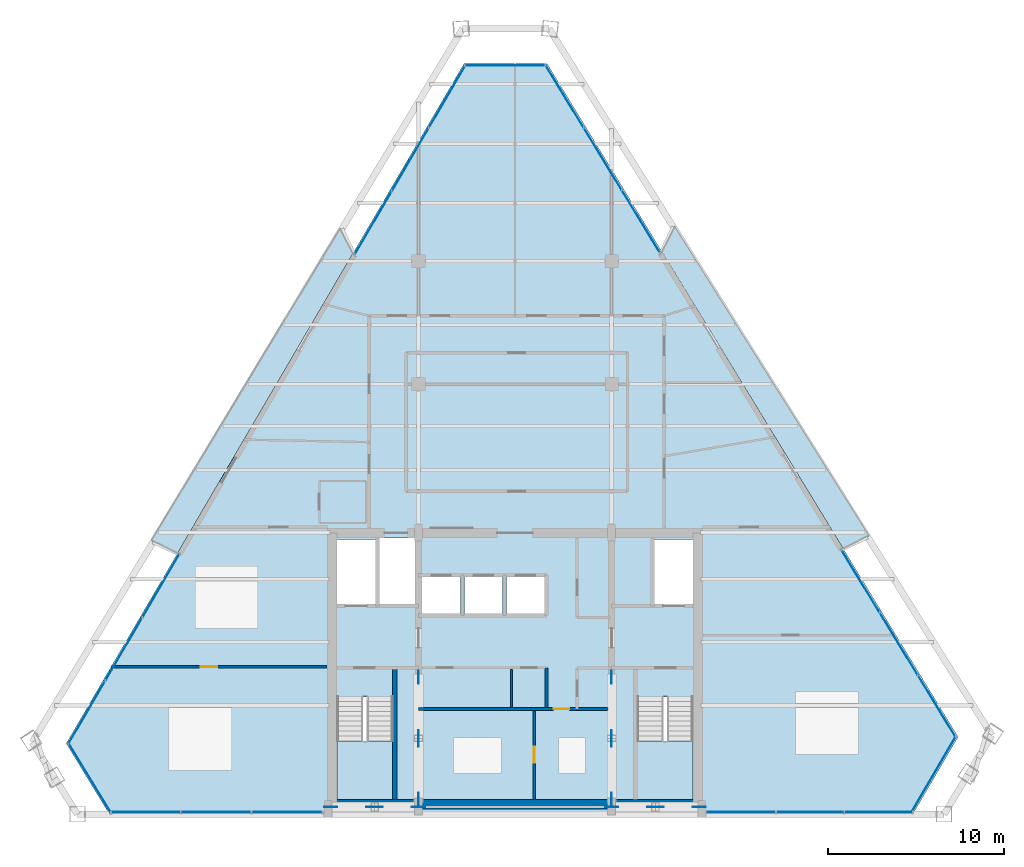
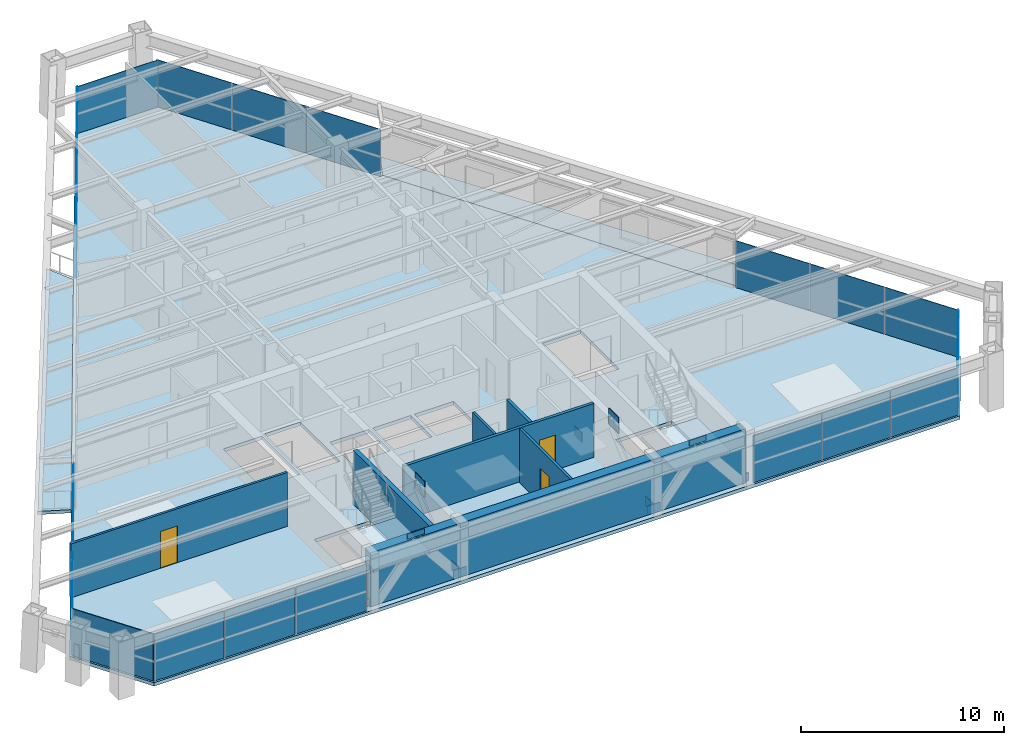
# One storey, part 8 of 13: 33 plates, 7 walls, 5 slabs, 3 doors, 3 openings, 11 elements without a shape of their own.
"""IFC4 building model written with IfcOpenShell, lengths in metres."""

from ifc_helpers import new_model, si_unit, direction, frame, frame_2d, origin, origin_2d, place, context, subcontext, project, spatial, polyline, rectangle, outline, extrude, source, transform, mapped, material, layer, layer_set, type_object, type_shapes, element, fill, aggregate, save


model = new_model("IFC4")

# Units and contexts
model_context = context("Model", 3, precision=1e-05, world=origin(), true_north=direction((0.0, 1.0)))
body_context = subcontext(model_context, "Body", "Model", "MODEL_VIEW")
ifc_project = project(units=[si_unit("LENGTHUNIT", "METRE"), si_unit("AREAUNIT", "SQUARE_METRE"), si_unit("VOLUMEUNIT", "CUBIC_METRE"), si_unit("PLANEANGLEUNIT", "RADIAN"), si_unit("MASSUNIT", "GRAM", prefix="KILO")], contexts=[model_context])

# Site, building, storey
site_placement = place(None, origin())
site = spatial("IfcSite", under=ifc_project, at=site_placement, CompositionType="ELEMENT")
building_placement = place(site_placement, origin())
building = spatial("IfcBuilding", under=site, at=building_placement, Name="Varnakhor Terracotta Tower", CompositionType="ELEMENT")
storey_placement = place(building_placement, frame((0.0, 0.0, 251.050048828125)))
storey = spatial("IfcBuildingStorey", under=building, at=storey_placement, Name="L65", CompositionType="ELEMENT", Elevation=251.050048828125)

# Slab
ifc_material_1 = material(Name="Concrete C40/50", Category="concrete")
ifc_layer_1 = layer(ifc_material_1, 0.2099609375, Name="Concrete C40/50")
ifc_layer_set_1 = layer_set([ifc_layer_1], Name="Concrete C40/50")
slab_type_1 = type_object("IfcSlabType", Name="SLB-HTL-210", PredefinedType="FLOOR", material=ifc_layer_set_1)
slab_1_placement = place(storey_placement, frame((0.0, 0.0, -0.2099609375)))
element("IfcSlab", 1, at=slab_1_placement, inside=storey, type_object=slab_type_1, Name="L65 Structural Floor Slab", PredefinedType="FLOOR", context=body_context, shape_type="SweptSolid", body=[
    extrude(outline(polyline([(-25.56689453125, 4.038330078125), (-2.89990234375, 42.77685546875), (1.818603515625, 42.77685546875), (25.237548828125, 4.410888671875), (22.656494140625, 0.0), (-23.101806640625, 0.0), (-25.56689453125, 4.038330078125)]), holes=[polyline([(-6.949951171875, 0.85009765625), (-6.949951171875, 6.695068359375), (-10.14990234375, 6.695068359375), (-10.14990234375, 0.85009765625), (-6.949951171875, 0.85009765625)]), polyline([(10.14990234375, 0.85009765625), (10.14990234375, 6.695068359375), (6.949951171875, 6.695068359375), (6.949951171875, 0.85009765625), (10.14990234375, 0.85009765625)]), polyline([(-3.10009765625, 11.419921875), (-3.10009765625, 13.52001953125), (-5.300048828125, 13.52001953125), (-5.300048828125, 11.419921875), (-3.10009765625, 11.419921875)]), polyline([(-0.719970703125, 11.419921875), (-0.719970703125, 13.52001953125), (-2.8798828125, 13.52001953125), (-2.8798828125, 11.419921875), (-0.719970703125, 11.419921875)]), polyline([(1.699951171875, 11.419921875), (1.699951171875, 13.52001953125), (-0.5, 13.52001953125), (-0.5, 11.419921875), (1.699951171875, 11.419921875)]), polyline([(-7.949951171875, 11.8798828125), (-7.949951171875, 15.64990234375), (-10.14990234375, 15.64990234375), (-10.14990234375, 11.8798828125), (-7.949951171875, 11.8798828125)]), polyline([(10.14990234375, 11.8798828125), (10.14990234375, 15.64990234375), (7.949951171875, 15.64990234375), (7.949951171875, 11.8798828125), (10.14990234375, 11.8798828125)]), polyline([(-5.699951171875, 11.8798828125), (-5.699951171875, 15.75), (-7.72998046875, 15.75), (-7.72998046875, 11.8798828125), (-5.699951171875, 11.8798828125)])]), origin(), (0.0, 0.0, 1.0), 0.2099609375),
])

# Stair, slab
stair_type = type_object("IfcStairType", Name="STR-CORE-HOTEL-1500", PredefinedType="HALF_TURN_STAIR", material=ifc_material_1)
stair_1_placement = place(storey_placement, origin())
stair_1 = element("IfcStair", 2, at=stair_1_placement, inside=storey, type_object=stair_type, Name="L65 Core Exit Stair ST-1", PredefinedType="HALF_TURN_STAIR")
ifc_layer_2 = layer(ifc_material_1, 0.179931640625, Name="Concrete C40/50")
ifc_layer_set_2 = layer_set([ifc_layer_2], Name="Concrete C40/50")
slab_type_2 = type_object("IfcSlabType", Name="SLB-LANDING-180", PredefinedType="LANDING", material=ifc_layer_set_2)
slab_2_placement = place(storey_placement, frame((0.0, 0.0, 1.52490234375)))
slab_2 = element("IfcSlab", 3, at=slab_2_placement, type_object=slab_type_2, Name="ST-1 landing 1", PredefinedType="LANDING", context=body_context, shape_type="SweptSolid", body=[
    extrude(outline(polyline([(-10.14990234375, 4.18994140625), (-10.14990234375, 0.85009765625), (-6.949951171875, 0.85009765625), (-6.949951171875, 4.18994140625), (-10.14990234375, 4.18994140625)])), origin(), (0.0, 0.0, 1.0), 0.199951171875),
])
aggregate(stair_1, [slab_2])

stair_2_placement = place(storey_placement, origin())
stair_2 = element("IfcStair", 4, at=stair_2_placement, inside=storey, type_object=stair_type, Name="L65 Core Exit Stair ST-2", PredefinedType="HALF_TURN_STAIR")
slab_3_placement = place(storey_placement, frame((0.0, 0.0, 1.52490234375)))
slab_3 = element("IfcSlab", 5, at=slab_3_placement, type_object=slab_type_2, Name="ST-2 landing 1", PredefinedType="LANDING", context=body_context, shape_type="SweptSolid", body=[
    extrude(outline(polyline([(6.949951171875, 4.18994140625), (6.949951171875, 0.85009765625), (10.14990234375, 0.85009765625), (10.14990234375, 4.18994140625), (6.949951171875, 4.18994140625)])), origin(), (0.0, 0.0, 1.0), 0.199951171875),
])
aggregate(stair_2, [slab_3])

# Slabs
ifc_layer_3 = layer(ifc_material_1, 0.195068359375, Name="Concrete C40/50")
ifc_layer_set_3 = layer_set([ifc_layer_3], Name="Concrete C40/50")
slab_type_3 = type_object("IfcSlabType", Name="SLB-LOGGIA-EXT-195", PredefinedType="FLOOR", material=ifc_layer_set_3)
slab_4_placement = place(storey_placement, frame((0.0, 0.0, -0.195068359375)))
element("IfcSlab", 6, at=slab_4_placement, inside=storey, type_object=slab_type_3, Name="L65 E Recessed Outdoor Loggia Slab", PredefinedType="FLOOR", context=body_context, shape_type="SweptSolid", body=[
    extrude(outline(polyline([(9.0673828125, 33.50830078125), (20.166748046875, 15.8505859375), (18.68017578125, 15.1533203125), (8.3759765625, 32.0341796875), (9.0673828125, 33.50830078125)])), origin(), (0.0, 0.0, 1.0), 0.195068359375),
])
slab_5_placement = place(storey_placement, frame((0.0, 0.0, -0.195068359375)))
element("IfcSlab", 7, at=slab_5_placement, inside=storey, type_object=slab_type_3, Name="L65 W Recessed Outdoor Loggia Slab", PredefinedType="FLOOR", context=body_context, shape_type="SweptSolid", body=[
    extrude(outline(polyline([(-20.71923828125, 15.570068359375), (-9.943359375, 33.399169921875), (-9.24658203125, 31.929931640625), (-17.23095703125, 18.284912109375), (-19.22021484375, 14.88525390625), (-20.71923828125, 15.570068359375)])), origin(), (0.0, 0.0, 1.0), 0.195068359375),
])

# Plates
ifc_material_2 = material(Name="Steel S460", Category="steel")
ifc_layer_4 = layer(ifc_material_2, 0.050048828125, Name="Steel S460")
ifc_layer_set_4 = layer_set([ifc_layer_4], Name="Steel S460")
plate_type_1 = type_object("IfcPlateType", Name="PLT-GUSSET-50", PredefinedType="USERDEFINED", material=ifc_layer_set_4)
shared_shape_1 = source(origin(), body_context, "Body", "SweptSolid", [
    extrude(rectangle(XDim=0.75, YDim=0.0400390625, at=origin_2d()), origin(), (0.0, 0.0, 1.0), 0.550048828125),
])
type_shapes(plate_type_1, [shared_shape_1])
for number, where, z_axis, x_axis, name in (
    (8, (-10.5, 0.419921875, -0.09521484375), (0.0, 0.0, 1.0), (1.0, 0.0, 0.0), "L65 Core Brace Embed Plate CSWA"),
    (9, (-5.5, 0.419921875, -0.09521484375), (0.0, 0.0, 1.0), (1.0, 0.0, 0.0), "L65 Core Brace Embed Plate CSWB"),
    (10, (5.5, 0.419921875, -0.09521484375), (0.0, 0.0, 1.0), (1.0, 0.0, 0.0), "L65 Core Brace Embed Plate CSEA"),
    (11, (10.5, 0.419921875, -0.09521484375), (0.0, 0.0, 1.0), (1.0, 0.0, 0.0), "L65 Core Brace Embed Plate CSEB"),
    (12, (-5.5, 0.85009765625, -0.09521484375), (0.0, 0.0, 1.0), (0.0, 1.0, 0.0), "L65 Core Brace Embed Plate CWWA"),
    (13, (-5.5, 7.800048828125, -0.09521484375), (0.0, 0.0, 1.0), (0.0, 1.0, 0.0), "L65 Core Brace Embed Plate CWWB"),
    (14, (5.5, 0.85009765625, -0.09521484375), (0.0, 0.0, 1.0), (0.0, 1.0, 0.0), "L65 Core Brace Embed Plate CWEA"),
    (15, (5.5, 7.800048828125, -0.09521484375), (0.0, 0.0, 1.0), (0.0, 1.0, 0.0), "L65 Core Brace Embed Plate CWEB"),
):
    element("IfcPlate", number, at=place(storey_placement, frame(where, z_axis=z_axis, x_axis=x_axis)), inside=storey, type_object=plate_type_1, Name=name, ObjectType="GUSSET PLATE", PredefinedType="USERDEFINED", context=body_context, shape_type="MappedRepresentation", body=[
        mapped(shared_shape_1, transform((0.0, 0.0, 0.0), scale=1.0)),
    ])
shared_shape_2 = source(origin(), body_context, "Body", "SweptSolid", [
    extrude(rectangle(XDim=0.949951171875, YDim=0.044921875, at=origin_2d()), origin(), (0.0, 0.0, 1.0), 0.949951171875),
])
for number, where, z_axis, x_axis, name in (
    (16, (-8.0, 0.419921875, 2.61474609375), (0.0, 0.0, 1.0), (1.0, 0.0, 0.0), "L65 Core Brace Apex Gusset CSW"),
    (17, (8.0, 0.419921875, 2.61474609375), (0.0, 0.0, 1.0), (1.0, 0.0, 0.0), "L65 Core Brace Apex Gusset CSE"),
    (18, (-5.5, 4.324951171875, 2.61474609375), (0.0, 0.0, 1.0), (0.0, 1.0, 0.0), "L65 Core Brace Apex Gusset CWW"),
    (19, (5.5, 4.324951171875, 2.61474609375), (0.0, 0.0, 1.0), (0.0, 1.0, 0.0), "L65 Core Brace Apex Gusset CWE"),
):
    element("IfcPlate", number, at=place(storey_placement, frame(where, z_axis=z_axis, x_axis=x_axis)), inside=storey, type_object=plate_type_1, Name=name, ObjectType="GUSSET PLATE", PredefinedType="USERDEFINED", context=body_context, shape_type="MappedRepresentation", body=[
        mapped(shared_shape_2, transform((0.0, 0.0, 0.0), scale=1.0)),
    ])

# Curtain wall, plates
ifc_material_3 = material(Name="Anodised Aluminium Curtain Wall System", Category="aluminium")
curtain_wall_type = type_object("IfcCurtainWallType", Name="CW-SYS-HOTEL-LOGGIA", PredefinedType="NOTDEFINED", material=ifc_material_3)
curtain_wall_1_placement = place(storey_placement, origin())
curtain_wall_1 = element("IfcCurtainWall", 20, at=curtain_wall_1_placement, inside=storey, type_object=curtain_wall_type, Name="L65 South Wing Curtain Wall SSW", PredefinedType="NOTDEFINED")
ifc_material_4 = material(Name="Solar-Control Low-E Insulated Glass Panel", Category="glass")
ifc_layer_5 = layer(ifc_material_4, 0.033935546875, Name="Solar-Control Low-E Insulated Glass Panel")
ifc_layer_set_5 = layer_set([ifc_layer_5], Name="Solar-Control Low-E Insulated Glass Panel")
plate_type_2 = type_object("IfcPlateType", Name="CWP-04", PredefinedType="CURTAIN_PANEL", material=ifc_layer_set_5)
shared_shape_3 = source(origin(), body_context, "Body", "SweptSolid", [
    extrude(rectangle(XDim=4.00048828125, YDim=0.035888671875, at=origin_2d()), origin(), (0.0, 0.0, 1.0), 2.820068359375),
])
plate_1_placement = place(storey_placement, frame((-12.990234375, 0.1201171875, 0.0), z_axis=(0.0, 0.0, 1.0), x_axis=(-1.0, 0.0, 0.0)))
plate_1 = element("IfcPlate", 21, at=plate_1_placement, type_object=plate_type_2, Name="L65 South Wing Curtain Wall SSW Glazed Panel 1", PredefinedType="CURTAIN_PANEL", context=body_context, shape_type="MappedRepresentation", body=[
    mapped(shared_shape_3, transform((0.0, 0.0, 0.0), scale=1.0)),
])
plate_2_placement = place(storey_placement, frame((-21.071533203125, 0.1201171875, 0.0), z_axis=(0.0, 0.0, 1.0), x_axis=(-1.0, 0.0, 0.0)))
plate_2 = element("IfcPlate", 22, at=plate_2_placement, type_object=plate_type_2, Name="L65 South Wing Curtain Wall SSW Glazed Panel 3", PredefinedType="CURTAIN_PANEL", context=body_context, shape_type="MappedRepresentation", body=[
    mapped(shared_shape_3, transform((0.0, 0.0, 0.0), scale=1.0)),
])

curtain_wall_2_placement = place(storey_placement, origin())
curtain_wall_2 = element("IfcCurtainWall", 23, at=curtain_wall_2_placement, inside=storey, type_object=curtain_wall_type, Name="L65 W Facet Curtain Wall 1", PredefinedType="NOTDEFINED")
shared_shape_4 = source(origin(), body_context, "Body", "SweptSolid", [
    extrude(rectangle(XDim=4.12890625, YDim=0.035888671875, at=origin_2d()), origin(), (0.0, 0.0, 1.0), 2.820068359375),
])
plate_3_placement = place(storey_placement, frame((-24.3955078125, 5.802978515625, 0.0), z_axis=(0.0, 0.0, 1.0), x_axis=(0.505024820243, 0.863104820366, 0.0)))
plate_3 = element("IfcPlate", 24, at=plate_3_placement, type_object=plate_type_2, Name="L65 W Facet Curtain Wall 1 Glazed Panel 1", PredefinedType="CURTAIN_PANEL", context=body_context, shape_type="MappedRepresentation", body=[
    mapped(shared_shape_4, transform((0.0, 0.0, 0.0), scale=1.0)),
])
plate_4_placement = place(storey_placement, frame((-22.2900390625, 9.401123046875, 0.0), z_axis=(0.0, 0.0, 1.0), x_axis=(0.505024820243, 0.863104820366, 0.0)))
plate_4 = element("IfcPlate", 25, at=plate_4_placement, type_object=plate_type_2, Name="L65 W Facet Curtain Wall 1 Glazed Panel 2", PredefinedType="CURTAIN_PANEL", context=body_context, shape_type="MappedRepresentation", body=[
    mapped(shared_shape_4, transform((0.0, 0.0, 0.0), scale=1.0)),
])

curtain_wall_3_placement = place(storey_placement, origin())
curtain_wall_3 = element("IfcCurtainWall", 26, at=curtain_wall_3_placement, inside=storey, type_object=curtain_wall_type, Name="L65 W Facet Curtain Wall 2", PredefinedType="NOTDEFINED")
plate_5_placement = place(storey_placement, frame((-5.9697265625, 37.29296875, 0.0), z_axis=(0.0, 0.0, 1.0), x_axis=(0.505024820243, 0.863104820366, 0.0)))
plate_5 = element("IfcPlate", 27, at=plate_5_placement, type_object=plate_type_2, Name="L65 W Facet Curtain Wall 2 Glazed Panel 2", PredefinedType="CURTAIN_PANEL", context=body_context, shape_type="MappedRepresentation", body=[
    mapped(shared_shape_4, transform((0.0, 0.0, 0.0), scale=1.0)),
])
plate_6_placement = place(storey_placement, frame((-3.8642578125, 40.89111328125, 0.0), z_axis=(0.0, 0.0, 1.0), x_axis=(0.505024820243, 0.863104820366, 0.0)))
plate_6 = element("IfcPlate", 28, at=plate_6_placement, type_object=plate_type_2, Name="L65 W Facet Curtain Wall 2 Glazed Panel 3", PredefinedType="CURTAIN_PANEL", context=body_context, shape_type="MappedRepresentation", body=[
    mapped(shared_shape_4, transform((0.0, 0.0, 0.0), scale=1.0)),
])

# Plate
shared_shape_5 = source(origin(), body_context, "Body", "SweptSolid", [
    extrude(rectangle(XDim=4.129150390625, YDim=0.035888671875, at=origin_2d()), origin(), (0.0, 0.0, 1.0), 2.820068359375),
])
plate_7_placement = place(storey_placement, frame((-20.184326171875, 12.99951171875, 0.0), z_axis=(0.0, 0.0, 1.0), x_axis=(0.505024820243, 0.863104820366, 0.0)))
plate_7 = element("IfcPlate", 29, at=plate_7_placement, type_object=plate_type_2, Name="L65 W Facet Curtain Wall 1 Glazed Panel 3", PredefinedType="CURTAIN_PANEL", context=body_context, shape_type="MappedRepresentation", body=[
    mapped(shared_shape_5, transform((0.0, 0.0, 0.0), scale=1.0)),
])

aggregate(curtain_wall_2, [plate_3, plate_4, plate_7])

plate_8_placement = place(storey_placement, frame((-8.0751953125, 33.694580078125, 0.0), z_axis=(0.0, 0.0, 1.0), x_axis=(0.505024820243, 0.863104820366, 0.0)))
plate_8 = element("IfcPlate", 30, at=plate_8_placement, type_object=plate_type_2, Name="L65 W Facet Curtain Wall 2 Glazed Panel 1", PredefinedType="CURTAIN_PANEL", context=body_context, shape_type="MappedRepresentation", body=[
    mapped(shared_shape_5, transform((0.0, 0.0, 0.0), scale=1.0)),
])

aggregate(curtain_wall_3, [plate_8, plate_5, plate_6])

# Curtain wall, plate
curtain_wall_4_placement = place(storey_placement, origin())
curtain_wall_4 = element("IfcCurtainWall", 31, at=curtain_wall_4_placement, inside=storey, type_object=curtain_wall_type, Name="L65 Facet Curtain Wall 2", PredefinedType="NOTDEFINED")
shared_shape_6 = source(origin(), body_context, "Body", "SweptSolid", [
    extrude(rectangle(XDim=4.61865234375, YDim=0.035888671875, at=origin_2d()), origin(), (0.0, 0.0, 1.0), 2.820068359375),
])
plate_9_placement = place(storey_placement, frame((-0.540771484375, 42.65673828125, 0.0), z_axis=(0.0, 0.0, 1.0), x_axis=(1.0, 0.0, 0.0)))
plate_9 = element("IfcPlate", 32, at=plate_9_placement, type_object=plate_type_2, Name="L65 Facet Curtain Wall 2 Glazed Panel 1", PredefinedType="CURTAIN_PANEL", context=body_context, shape_type="MappedRepresentation", body=[
    mapped(shared_shape_6, transform((0.0, 0.0, 0.0), scale=1.0)),
])
aggregate(curtain_wall_4, [plate_9])

# Curtain wall, plates
curtain_wall_5_placement = place(storey_placement, origin())
curtain_wall_5 = element("IfcCurtainWall", 33, at=curtain_wall_5_placement, inside=storey, type_object=curtain_wall_type, Name="L65 E Facet Curtain Wall 1", PredefinedType="NOTDEFINED")
shared_shape_7 = source(origin(), body_context, "Body", "SweptSolid", [
    extrude(rectangle(XDim=4.13525390625, YDim=0.035888671875, at=origin_2d()), origin(), (0.0, 0.0, 1.0), 2.820068359375),
])
plate_10_placement = place(storey_placement, frame((2.8193359375, 40.90673828125, 0.0), z_axis=(0.0, 0.0, 1.0), x_axis=(0.521009631841, -0.853550797275, 0.0)))
plate_10 = element("IfcPlate", 34, at=plate_10_placement, type_object=plate_type_2, Name="L65 E Facet Curtain Wall 1 Glazed Panel 1", PredefinedType="CURTAIN_PANEL", context=body_context, shape_type="MappedRepresentation", body=[
    mapped(shared_shape_7, transform((0.0, 0.0, 0.0), scale=1.0)),
])
plate_11_placement = place(storey_placement, frame((4.994873046875, 37.343017578125, 0.0), z_axis=(0.0, 0.0, 1.0), x_axis=(0.521009631841, -0.853550797275, 0.0)))
plate_11 = element("IfcPlate", 35, at=plate_11_placement, type_object=plate_type_2, Name="L65 E Facet Curtain Wall 1 Glazed Panel 2", PredefinedType="CURTAIN_PANEL", context=body_context, shape_type="MappedRepresentation", body=[
    mapped(shared_shape_7, transform((0.0, 0.0, 0.0), scale=1.0)),
])
plate_12_placement = place(storey_placement, frame((7.170166015625, 33.779296875, 0.0), z_axis=(0.0, 0.0, 1.0), x_axis=(0.521009631841, -0.853550797275, 0.0)))
plate_12 = element("IfcPlate", 36, at=plate_12_placement, type_object=plate_type_2, Name="L65 E Facet Curtain Wall 1 Glazed Panel 3", PredefinedType="CURTAIN_PANEL", context=body_context, shape_type="MappedRepresentation", body=[
    mapped(shared_shape_7, transform((0.0, 0.0, 0.0), scale=1.0)),
])
aggregate(curtain_wall_5, [plate_10, plate_11, plate_12])

curtain_wall_6_placement = place(storey_placement, origin())
curtain_wall_6 = element("IfcCurtainWall", 37, at=curtain_wall_6_placement, inside=storey, type_object=curtain_wall_type, Name="L65 E Facet Curtain Wall 2", PredefinedType="NOTDEFINED")
plate_13_placement = place(storey_placement, frame((19.68115234375, 13.283447265625, 0.0), z_axis=(0.0, 0.0, 1.0), x_axis=(0.521009631841, -0.853550797275, 0.0)))
plate_13 = element("IfcPlate", 38, at=plate_13_placement, type_object=plate_type_2, Name="L65 E Facet Curtain Wall 2 Glazed Panel 1", PredefinedType="CURTAIN_PANEL", context=body_context, shape_type="MappedRepresentation", body=[
    mapped(shared_shape_7, transform((0.0, 0.0, 0.0), scale=1.0)),
])
plate_14_placement = place(storey_placement, frame((21.8564453125, 9.719482421875, 0.0), z_axis=(0.0, 0.0, 1.0), x_axis=(0.521009631841, -0.853550797275, 0.0)))
plate_14 = element("IfcPlate", 39, at=plate_14_placement, type_object=plate_type_2, Name="L65 E Facet Curtain Wall 2 Glazed Panel 2", PredefinedType="CURTAIN_PANEL", context=body_context, shape_type="MappedRepresentation", body=[
    mapped(shared_shape_7, transform((0.0, 0.0, 0.0), scale=1.0)),
])
plate_15_placement = place(storey_placement, frame((24.03173828125, 6.156005859375, 0.0), z_axis=(0.0, 0.0, 1.0), x_axis=(0.521009631841, -0.853550797275, 0.0)))
plate_15 = element("IfcPlate", 40, at=plate_15_placement, type_object=plate_type_2, Name="L65 E Facet Curtain Wall 2 Glazed Panel 3", PredefinedType="CURTAIN_PANEL", context=body_context, shape_type="MappedRepresentation", body=[
    mapped(shared_shape_7, transform((0.0, 0.0, 0.0), scale=1.0)),
])
aggregate(curtain_wall_6, [plate_13, plate_14, plate_15])

# Curtain wall, plate
curtain_wall_7_placement = place(storey_placement, origin())
curtain_wall_7 = element("IfcCurtainWall", 41, at=curtain_wall_7_placement, inside=storey, type_object=curtain_wall_type, Name="L65 Facet Curtain Wall 4", PredefinedType="NOTDEFINED")
shared_shape_8 = source(origin(), body_context, "Body", "SweptSolid", [
    extrude(rectangle(XDim=5.010498046875, YDim=0.035888671875, at=origin_2d()), origin(), (0.0, 0.0, 1.0), 2.820068359375),
])
plate_16_placement = place(storey_placement, frame((23.843505859375, 2.26611328125, 0.0), z_axis=(0.0, 0.0, 1.0), x_axis=(-0.505039884187, -0.863096005888, 0.0)))
plate_16 = element("IfcPlate", 42, at=plate_16_placement, type_object=plate_type_2, Name="L65 Facet Curtain Wall 4 Glazed Panel 1", PredefinedType="CURTAIN_PANEL", context=body_context, shape_type="MappedRepresentation", body=[
    mapped(shared_shape_8, transform((0.0, 0.0, 0.0), scale=1.0)),
])
aggregate(curtain_wall_7, [plate_16])

# Curtain wall, plates
curtain_wall_8_placement = place(storey_placement, origin())
curtain_wall_8 = element("IfcCurtainWall", 43, at=curtain_wall_8_placement, inside=storey, type_object=curtain_wall_type, Name="L65 South Wing Curtain Wall SSE", PredefinedType="NOTDEFINED")
shared_shape_9 = source(origin(), body_context, "Body", "SweptSolid", [
    extrude(rectangle(XDim=3.852294921875, YDim=0.035888671875, at=origin_2d()), origin(), (0.0, 0.0, 1.0), 2.820068359375),
])
plate_17_placement = place(storey_placement, frame((20.700439453125, 0.1201171875, 0.0), z_axis=(0.0, 0.0, 1.0), x_axis=(-1.0, 0.0, 0.0)))
plate_17 = element("IfcPlate", 44, at=plate_17_placement, type_object=plate_type_2, Name="L65 South Wing Curtain Wall SSE Glazed Panel 1", PredefinedType="CURTAIN_PANEL", context=body_context, shape_type="MappedRepresentation", body=[
    mapped(shared_shape_9, transform((0.0, 0.0, 0.0), scale=1.0)),
])
plate_18_placement = place(storey_placement, frame((12.916015625, 0.1201171875, 0.0), z_axis=(0.0, 0.0, 1.0), x_axis=(-1.0, 0.0, 0.0)))
plate_18 = element("IfcPlate", 45, at=plate_18_placement, type_object=plate_type_2, Name="L65 South Wing Curtain Wall SSE Glazed Panel 3", PredefinedType="CURTAIN_PANEL", context=body_context, shape_type="MappedRepresentation", body=[
    mapped(shared_shape_9, transform((0.0, 0.0, 0.0), scale=1.0)),
])
shared_shape_10 = source(origin(), body_context, "Body", "SweptSolid", [
    extrude(rectangle(XDim=3.85205078125, YDim=0.035888671875, at=origin_2d()), origin(), (0.0, 0.0, 1.0), 2.820068359375),
])
plate_19_placement = place(storey_placement, frame((16.808349609375, 0.1201171875, 0.0), z_axis=(0.0, 0.0, 1.0), x_axis=(-1.0, 0.0, 0.0)))
plate_19 = element("IfcPlate", 46, at=plate_19_placement, type_object=plate_type_2, Name="L65 South Wing Curtain Wall SSE Glazed Panel 2", PredefinedType="CURTAIN_PANEL", context=body_context, shape_type="MappedRepresentation", body=[
    mapped(shared_shape_10, transform((0.0, 0.0, 0.0), scale=1.0)),
])
aggregate(curtain_wall_8, [plate_17, plate_19, plate_18])

# Plate
shared_shape_11 = source(origin(), body_context, "Body", "SweptSolid", [
    extrude(rectangle(XDim=4.000732421875, YDim=0.035888671875, at=origin_2d()), origin(), (0.0, 0.0, 1.0), 2.820068359375),
])
plate_20_placement = place(storey_placement, frame((-17.031005859375, 0.1201171875, 0.0), z_axis=(0.0, 0.0, 1.0), x_axis=(-1.0, 0.0, 0.0)))
plate_20 = element("IfcPlate", 47, at=plate_20_placement, type_object=plate_type_2, Name="L65 South Wing Curtain Wall SSW Glazed Panel 2", PredefinedType="CURTAIN_PANEL", context=body_context, shape_type="MappedRepresentation", body=[
    mapped(shared_shape_11, transform((0.0, 0.0, 0.0), scale=1.0)),
])

aggregate(curtain_wall_1, [plate_1, plate_20, plate_2])

# Curtain wall, plate
curtain_wall_9_placement = place(storey_placement, origin())
curtain_wall_9 = element("IfcCurtainWall", 48, at=curtain_wall_9_placement, inside=storey, type_object=curtain_wall_type, Name="L65 Facet Curtain Wall 6", PredefinedType="NOTDEFINED")
shared_shape_12 = source(origin(), body_context, "Body", "SweptSolid", [
    extrude(rectangle(XDim=4.63134765625, YDim=0.035888671875, at=origin_2d()), origin(), (0.0, 0.0, 1.0), 2.820068359375),
])
plate_21_placement = place(storey_placement, frame((-24.23193359375, 2.081787109375, 0.0), z_axis=(0.0, 0.0, 1.0), x_axis=(-0.520994734489, 0.853559890479, 0.0)))
plate_21 = element("IfcPlate", 49, at=plate_21_placement, type_object=plate_type_2, Name="L65 Facet Curtain Wall 6 Glazed Panel 1", PredefinedType="CURTAIN_PANEL", context=body_context, shape_type="MappedRepresentation", body=[
    mapped(shared_shape_12, transform((0.0, 0.0, 0.0), scale=1.0)),
])
aggregate(curtain_wall_9, [plate_21])

# Wall
ifc_material_5 = material(Name="Concrete C50/60", Category="concrete")
ifc_layer_6 = layer(ifc_material_5, 0.550048828125, Name="Concrete C50/60")
ifc_layer_set_6 = layer_set([ifc_layer_6], Name="Concrete C50/60")
wall_type_1 = type_object("IfcWallType", Name="WAL-CORE-550", PredefinedType="SHEAR", material=ifc_layer_set_6)
wall_1_placement = place(storey_placement, frame((-10.64990234375, 0.574951171875, 0.0), z_axis=(0.0, 0.0, 1.0), x_axis=(1.0, 0.0, 0.0)))
element("IfcWall", 50, at=wall_1_placement, inside=storey, type_object=wall_type_1, Name="L65 South Core Shear Wall", PredefinedType="SHEAR", context=body_context, shape_type="SweptSolid", body=[
    extrude(rectangle(XDim=21.2998046875, YDim=0.550048828125, at=frame_2d((10.64990234375, 0.0))), origin(), (0.0, 0.0, 1.0), 3.239990234375),
])

# Wall, opening, door
ifc_material_6 = material(Name="Acoustic Hotel Room Partition", Category="gypsum")
ifc_layer_7 = layer(ifc_material_6, 0.1298828125, Name="Acoustic Hotel Room Partition")
ifc_layer_set_7 = layer_set([ifc_layer_7], Name="Acoustic Hotel Room Partition")
wall_type_2 = type_object("IfcWallType", Name="WAL-PART-130", PredefinedType="PARTITIONING", material=ifc_layer_set_7)
wall_2_placement = place(storey_placement, frame((-23.003173828125, 8.39990234375, 0.0), z_axis=(0.0, 0.0, 1.0), x_axis=(1.0, 0.0, 0.0)))
wall_2 = element("IfcWall", 51, at=wall_2_placement, inside=storey, type_object=wall_type_2, Name="L65 SW Key Split 1", PredefinedType="PARTITIONING", context=body_context, shape_type="SweptSolid", body=[
    extrude(rectangle(XDim=12.283203125, YDim=0.1298828125, at=frame_2d((6.1416015625, 0.0))), origin(), (0.0, 0.0, 1.0), 3.23193359375),
])
opening_1_placement = place(wall_2_placement, frame((5.08642578125, 0.0, 0.0)))
opening_1 = element("IfcOpeningElement", 52, at=opening_1_placement, cuts=wall_2, Name="Opening DR-94", PredefinedType="OPENING", context=body_context, shape_type="SweptSolid", body=[
    extrude(rectangle(XDim=0.949951171875, YDim=2.199951171875, at=frame_2d((0.47509765625, 1.10009765625))), frame((0.0, 0.074951171875, 0.0), z_axis=(0.0, -1.0, 0.0), x_axis=(1.0, 0.0, 0.0)), (0.0, 0.0, 1.0), 0.14990234375),
])
ifc_material_7 = material(Name="Acoustic Glazed-Vision Timber Office Door", Category="wood")
door_type_1 = type_object("IfcDoorType", Name="DR-OFF-950X2200", OperationType="NOTDEFINED", PredefinedType="DOOR", material=ifc_material_7)
shared_shape_13 = source(origin(), body_context, "Body", "SweptSolid", [
    extrude(rectangle(XDim=0.949951171875, YDim=2.199951171875, at=frame_2d((0.47509765625, 1.10009765625))), frame((0.0, 0.02490234375, 0.0), z_axis=(0.0, -1.0, 0.0), x_axis=(1.0, 0.0, 0.0)), (0.0, 0.0, 1.0), 0.050048828125),
])
type_shapes(door_type_1, [shared_shape_13])
door_1_placement = place(opening_1_placement, origin())
door_1 = element("IfcDoor", 53, at=door_1_placement, inside=storey, type_object=door_type_1, Name="L65 SW Suite Connect Door 1", OperationType="SINGLE_SWING_RIGHT", OverallHeight=2.199951171875, OverallWidth=0.949951171875, PredefinedType="DOOR", context=body_context, shape_type="MappedRepresentation", body=[
    mapped(shared_shape_13, transform((0.0, 0.0, 0.0), scale=1.0)),
])
fill(opening_1, door_1)

# Walls
ifc_layer_8 = layer(ifc_material_1, 0.25, Name="Concrete C40/50")
ifc_layer_set_8 = layer_set([ifc_layer_8], Name="Concrete C40/50")
wall_type_3 = type_object("IfcWallType", Name="WAL-SHAFT-250", PredefinedType="SOLIDWALL", material=ifc_layer_set_8)
wall_3_placement = place(storey_placement, frame((-6.85009765625, 0.85009765625, 0.0), z_axis=(0.0, 0.0, 1.0), x_axis=(0.0, 1.0, 0.0)))
element("IfcWall", 54, at=wall_3_placement, inside=storey, type_object=wall_type_3, Name="L65 Stair ST-1 Bearing Shaft Wall", PredefinedType="SOLIDWALL", context=body_context, shape_type="SweptSolid", body=[
    extrude(rectangle(XDim=7.5, YDim=0.25, at=frame_2d((3.75, 0.0))), origin(), (0.0, 0.0, 1.0), 3.239990234375),
])
ifc_material_8 = material(Name="Acoustic Fire-Rated Partition", Category="gypsum")
ifc_layer_9 = layer(ifc_material_8, 0.114990234375, Name="Acoustic Fire-Rated Partition")
ifc_layer_set_9 = layer_set([ifc_layer_9], Name="Acoustic Fire-Rated Partition")
wall_type_4 = type_object("IfcWallType", Name="WAL-TENANCY-115", PredefinedType="PARTITIONING", material=ifc_layer_set_9)
wall_4_placement = place(storey_placement, frame((-0.199951171875, 6.10009765625, 0.0), z_axis=(0.0, 0.0, 1.0), x_axis=(0.0, 1.0, 0.0)))
element("IfcWall", 55, at=wall_4_placement, inside=storey, type_object=wall_type_4, Name="L65 Reclaimed Mid-Core Split Wall", PredefinedType="PARTITIONING", context=body_context, shape_type="SweptSolid", body=[
    extrude(rectangle(XDim=2.14990234375, YDim=0.114990234375, at=frame_2d((1.074951171875, 0.0))), origin(), (0.0, 0.0, 1.0), 3.23193359375),
])

# Wall, opening, door
ifc_layer_10 = layer(ifc_material_8, 0.139892578125, Name="Acoustic Fire-Rated Partition")
ifc_layer_set_10 = layer_set([ifc_layer_10], Name="Acoustic Fire-Rated Partition")
wall_type_5 = type_object("IfcWallType", Name="WAL-TENANCY-140", PredefinedType="PARTITIONING", material=ifc_layer_set_10)
wall_5_placement = place(storey_placement, frame((1.10009765625, 0.85009765625, 0.0), z_axis=(0.0, 0.0, 1.0), x_axis=(0.0, 1.0, 0.0)))
wall_5 = element("IfcWall", 56, at=wall_5_placement, inside=storey, type_object=wall_type_5, Name="L65 Reclaimed Core Bay Split Wall", PredefinedType="PARTITIONING", context=body_context, shape_type="SweptSolid", body=[
    extrude(rectangle(XDim=5.02978515625, YDim=0.139892578125, at=frame_2d((2.514892578125, 0.0))), origin(), (0.0, 0.0, 1.0), 3.23193359375),
])
opening_2_placement = place(wall_5_placement, frame((2.10009765625, 0.0, 0.0)))
opening_2 = element("IfcOpeningElement", 57, at=opening_2_placement, cuts=wall_5, Name="Opening DR-67", PredefinedType="OPENING", context=body_context, shape_type="SweptSolid", body=[
    extrude(rectangle(XDim=0.89990234375, YDim=2.10009765625, at=frame_2d((0.449951171875, 1.050048828125))), frame((0.0, 0.080078125, 0.0), z_axis=(0.0, -1.0, 0.0), x_axis=(1.0, 0.0, 0.0)), (0.0, 0.0, 1.0), 0.159912109375),
])
ifc_material_9 = material(Name="Steel Service Riser Fire Door", Category="steel")
door_type_2 = type_object("IfcDoorType", Name="DR-RISER-900X2100", OperationType="NOTDEFINED", PredefinedType="DOOR", material=ifc_material_9)
shared_shape_14 = source(origin(), body_context, "Body", "SweptSolid", [
    extrude(rectangle(XDim=0.89990234375, YDim=2.10009765625, at=frame_2d((0.449951171875, 1.050048828125))), frame((0.0, 0.02490234375, 0.0), z_axis=(0.0, -1.0, 0.0), x_axis=(1.0, 0.0, 0.0)), (0.0, 0.0, 1.0), 0.050048828125),
])
type_shapes(door_type_2, [shared_shape_14])
door_2_placement = place(opening_2_placement, origin())
door_2 = element("IfcDoor", 58, at=door_2_placement, inside=storey, type_object=door_type_2, Name="L65 Core Inner Service Door", OperationType="SINGLE_SWING_LEFT", OverallHeight=2.10009765625, OverallWidth=0.89990234375, PredefinedType="DOOR", context=body_context, shape_type="MappedRepresentation", body=[
    mapped(shared_shape_14, transform((0.0, 0.0, 0.0), scale=1.0)),
])
fill(opening_2, door_2)

ifc_layer_11 = layer(ifc_material_8, 0.1650390625, Name="Acoustic Fire-Rated Partition")
ifc_layer_set_11 = layer_set([ifc_layer_11], Name="Acoustic Fire-Rated Partition")
wall_type_6 = type_object("IfcWallType", Name="WAL-TENANCY-165", PredefinedType="PARTITIONING", material=ifc_layer_set_11)
wall_6_placement = place(storey_placement, frame((-5.5, 6.0, 0.0), z_axis=(0.0, 0.0, 1.0), x_axis=(1.0, 0.0, 0.0)))
wall_6 = element("IfcWall", 59, at=wall_6_placement, inside=storey, type_object=wall_type_6, Name="L65 Reclaimed Core Bay North Rated Wall", PredefinedType="PARTITIONING", context=body_context, shape_type="SweptSolid", body=[
    extrude(rectangle(XDim=10.800048828125, YDim=0.1650390625, at=frame_2d((5.39990234375, 0.0))), origin(), (0.0, 0.0, 1.0), 3.23193359375),
])
opening_3_placement = place(wall_6_placement, frame((7.699951171875, 0.0, 0.0)))
opening_3 = element("IfcOpeningElement", 60, at=opening_3_placement, cuts=wall_6, Name="Opening DR-67", PredefinedType="OPENING", context=body_context, shape_type="SweptSolid", body=[
    extrude(rectangle(XDim=0.89990234375, YDim=2.10009765625, at=frame_2d((0.449951171875, 1.050048828125))), frame((0.0, 0.092529296875, 0.0), z_axis=(0.0, -1.0, 0.0), x_axis=(1.0, 0.0, 0.0)), (0.0, 0.0, 1.0), 0.18505859375),
])
door_3_placement = place(opening_3_placement, origin())
door_3 = element("IfcDoor", 61, at=door_3_placement, inside=storey, type_object=door_type_2, Name="L65 Core Reclaimed Suite Door", OperationType="SINGLE_SWING_RIGHT", OverallHeight=2.10009765625, OverallWidth=0.89990234375, PredefinedType="DOOR", context=body_context, shape_type="MappedRepresentation", body=[
    mapped(shared_shape_14, transform((0.0, 0.0, 0.0), scale=1.0)),
])
fill(opening_3, door_3)

# Wall
wall_7_placement = place(storey_placement, frame((1.800048828125, 6.10009765625, 0.0), z_axis=(0.0, 0.0, 1.0), x_axis=(0.0, 1.0, 0.0)))
element("IfcWall", 62, at=wall_7_placement, inside=storey, type_object=wall_type_6, Name="L65 Reclaimed Mid-Core East Wall", PredefinedType="PARTITIONING", context=body_context, shape_type="SweptSolid", body=[
    extrude(rectangle(XDim=2.25, YDim=0.1650390625, at=frame_2d((1.125, 0.0))), origin(), (0.0, 0.0, 1.0), 3.23193359375),
])

save(model, "model.ifc")
